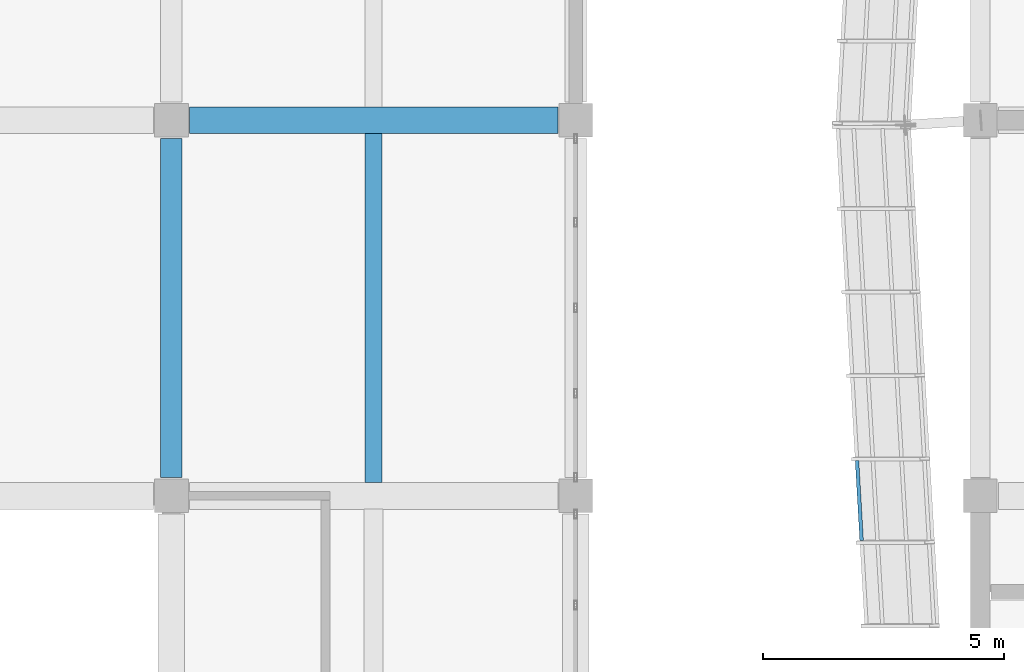
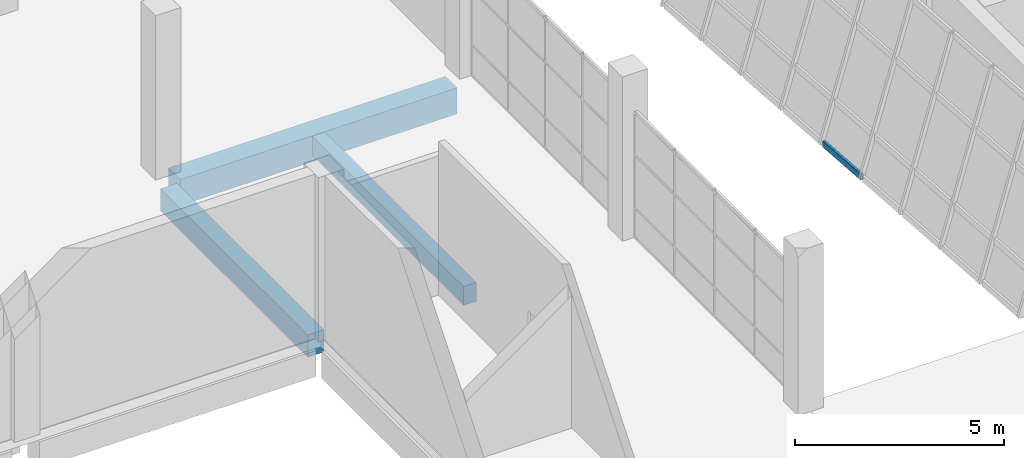
# One storey, part 27 of 91: 3 beams, 1 member, 1 element without a shape of its own.
"""IFC4 building model written with IfcOpenShell, lengths in metres."""

from ifc_helpers import new_model, si_unit, direction, frame, origin, origin_2d, place, context, subcontext, project, spatial, rectangle, hollow_rectangle, extrude, material, material_profile, profile_set, type_object, element, aggregate, save


model = new_model("IFC4")

# Units and contexts
model_context = context("Model", 3, precision=1e-05, world=origin(), true_north=direction((0.0, 1.0)))
body_context = subcontext(model_context, "Body", "Model", "MODEL_VIEW")
ifc_project = project(units=[si_unit("LENGTHUNIT", "METRE"), si_unit("AREAUNIT", "SQUARE_METRE"), si_unit("VOLUMEUNIT", "CUBIC_METRE"), si_unit("PLANEANGLEUNIT", "RADIAN"), si_unit("MASSUNIT", "GRAM", prefix="KILO")], contexts=[model_context])

# Site, building, storey
site_placement = place(None, origin())
site = spatial("IfcSite", under=ifc_project, at=site_placement, CompositionType="ELEMENT")
building_placement = place(site_placement, origin())
building = spatial("IfcBuilding", under=site, at=building_placement, Name="Pellamere Symphony Hall", CompositionType="ELEMENT")
storey_placement = place(building_placement, frame((0.0, 0.0, 5.39990234375)))
storey = spatial("IfcBuildingStorey", under=building, at=storey_placement, Name="L01", CompositionType="ELEMENT", Elevation=5.39990234375)

# Curtain wall, member
ifc_material_1 = material(Name="Thermally Broken Anodised Aluminium 6063-T6 Curtain Wall", Category="aluminium")
curtain_wall_type = type_object("IfcCurtainWallType", Name="Curtain Wall CW-01 (Tilted Faceted Crystal Low-Iron Curtain Wall)", PredefinedType="NOTDEFINED", material=ifc_material_1)
curtain_wall_placement = place(storey_placement, origin())
curtain_wall = element("IfcCurtainWall", 1, at=curtain_wall_placement, inside=storey, type_object=curtain_wall_type, Name="Crystal Faceted Curtain Wall CW-CR18 (L01)", PredefinedType="NOTDEFINED")
ifc_material_2 = material(Name="Anodised Architectural Aluminium 6063-T6", Category="aluminium")
ifc_material_profile_1 = material_profile(ifc_material_2, hollow_rectangle(XDim=0.074951171875, YDim=0.179931640625, WallThickness=0.0048828125, at=origin_2d()), Name="ALU-T75X180X5")
ifc_profile_set_1 = profile_set([ifc_material_profile_1], Name="Anodised Architectural Aluminium 6063-T6")
member_type = type_object("IfcMemberType", Name="Curtain Wall Transom TR-01 ALU-T75X180X5", PredefinedType="USERDEFINED", material=ifc_profile_set_1)
member_placement = place(storey_placement, frame((47.841064453125, 39.129150390625, 0.0361328125), z_axis=(0.057610619545, -0.998339129012, 0.0), x_axis=(0.998339129012, 0.057610619545, 0.0)))
member = element("IfcMember", 2, at=member_placement, type_object=member_type, Name="CW1-053 crystal transom 5.1", ObjectType="TRANSOM", PredefinedType="USERDEFINED", context=body_context, shape_type="SweptSolid", body=[
    extrude(hollow_rectangle(XDim=0.074951171875, YDim=0.179931640625, WallThickness=0.0048828125, at=origin_2d()), origin(), (0.0, 0.0, 1.0), 1.6611328125),
])
aggregate(curtain_wall, [member])

# Beams
ifc_material_3 = material(Name="Concrete 40 MPa", Category="concrete")
ifc_material_profile_2 = material_profile(ifc_material_3, rectangle(XDim=0.449951171875, YDim=0.64990234375, at=origin_2d()), Name="RC 450x650")
ifc_profile_set_2 = profile_set([ifc_material_profile_2], Name="Concrete 40 MPa")
beam_type_1 = type_object("IfcBeamType", Name="RC CB-08 450x650", PredefinedType="BEAM", material=ifc_profile_set_2)
beam_1_placement = place(storey_placement, frame((33.60009765625, 38.77490234375, -0.60498046875), z_axis=(0.0, 1.0, 0.0), x_axis=(-1.0, 0.0, 0.0)))
element("IfcBeam", 3, at=beam_1_placement, inside=storey, type_object=beam_type_1, Name="Girder CB-08-Y0739 (L01)", PredefinedType="BEAM", context=body_context, shape_type="SweptSolid", body=[
    extrude(rectangle(XDim=0.449951171875, YDim=0.64990234375, at=origin_2d()), origin(), (0.0, 0.0, 1.0), 7.050048828125),
])
ifc_material_4 = material(Name="Concrete 35 MPa", Category="concrete")
ifc_material_profile_3 = material_profile(ifc_material_4, rectangle(XDim=0.35009765625, YDim=0.550048828125, at=origin_2d()), Name="RC 350x550")
ifc_profile_set_3 = profile_set([ifc_material_profile_3], Name="Concrete 35 MPa")
beam_type_2 = type_object("IfcBeamType", Name="RC CB-10 350x550", PredefinedType="BEAM", material=ifc_profile_set_3)
beam_2_placement = place(storey_placement, frame((37.800048828125, 38.679931640625, -0.56982421875), z_axis=(0.0, 1.0, 0.0), x_axis=(-1.0, 0.0, 0.0)))
element("IfcBeam", 4, at=beam_2_placement, inside=storey, type_object=beam_type_2, Name="Secondary Floor Beam CB-10-M0405 (L01)", PredefinedType="BEAM", context=body_context, shape_type="SweptSolid", body=[
    extrude(rectangle(XDim=0.35009765625, YDim=0.550048828125, at=origin_2d()), origin(), (0.0, 0.0, 1.0), 7.239990234375),
])
ifc_material_profile_4 = material_profile(ifc_material_3, rectangle(XDim=0.56005859375, YDim=0.760009765625, at=origin_2d()), Name="RC 560x760")
ifc_profile_set_4 = profile_set([ifc_material_profile_4], Name="Concrete 40 MPa")
beam_type_3 = type_object("IfcBeamType", Name="RC CB-18 560x760", PredefinedType="BEAM", material=ifc_profile_set_4)
beam_3_placement = place(storey_placement, frame((33.97509765625, 46.199951171875, -0.659912109375), z_axis=(1.0, 0.0, 0.0), x_axis=(0.0, 1.0, 0.0)))
element("IfcBeam", 5, at=beam_3_placement, inside=storey, type_object=beam_type_3, Name="Girder CB-18-X0619 (L01)", PredefinedType="BEAM", context=body_context, shape_type="SweptSolid", body=[
    extrude(rectangle(XDim=0.56005859375, YDim=0.760009765625, at=origin_2d()), origin(), (0.0, 0.0, 1.0), 7.64990234375),
])

save(model, "model.ifc")
